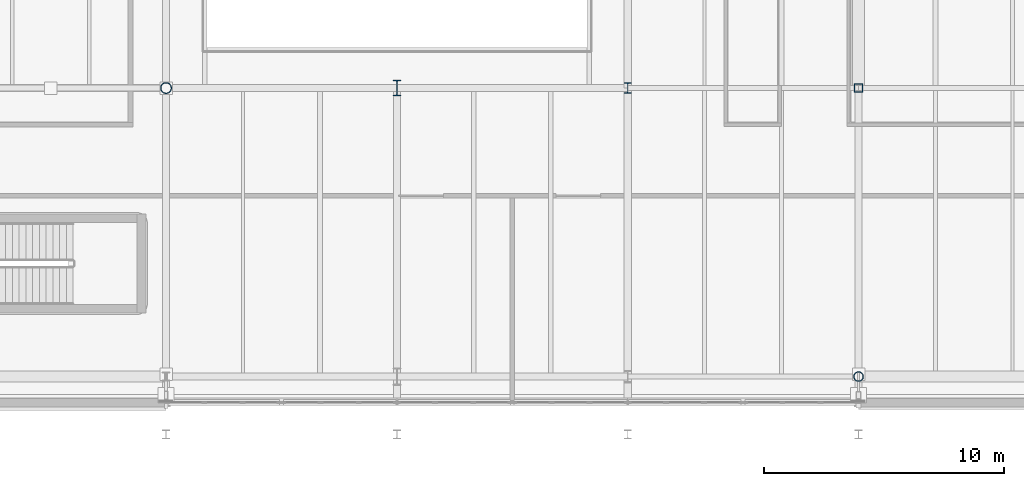
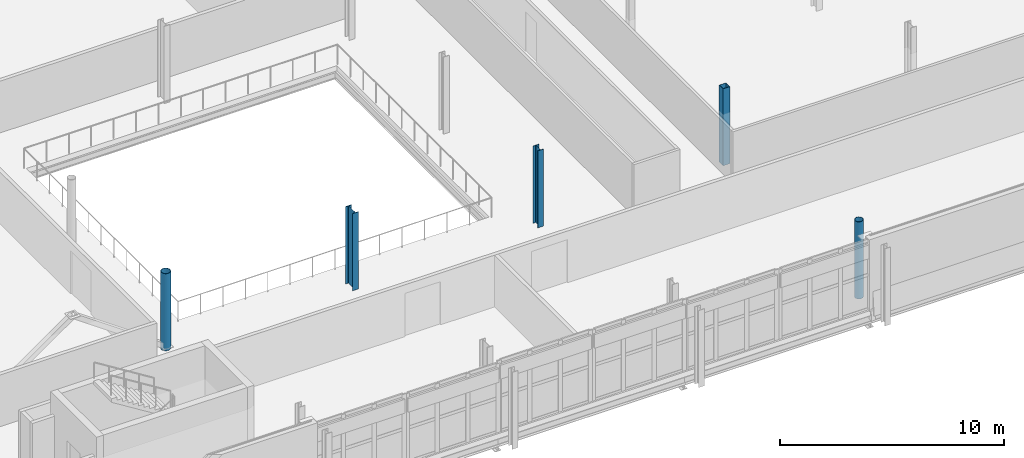
# One storey, part 4 of 57: 5 columns.
"""IFC4 building model written with IfcOpenShell, lengths in metres."""

import ifcopenshell
import ifcopenshell.guid

model = None  # the IFC model being written
_history = None  # IfcOwnerHistory: only IFC2X3 demands one
_inside = {}  # id of a spatial element -> (the spatial element, [elements in it])
_under = {}  # id of a project, library or spatial element -> (it, [spatial elements below it])
_declared = {}  # id of a project -> (the project, [libraries it declares])
_typed = {}  # id of a type object -> (the type object, [elements of that type])
_made_of = {}  # id of a material, layer set ... -> (it, [elements and type objects made of it])


def new_model(schema):
    """Start an empty IFC model of exactly this schema.

    Asked for "IFC4X3", IfcOpenShell would pick the latest addendum, in which some entities
    have other attributes; the version numbers below select the first issue.
    IFC2X3 requires an IfcOwnerHistory on every rooted entity: one is made here for all.
    """
    global model, _history
    if schema == "IFC4X3":
        model = ifcopenshell.file(schema_version=(4, 3, 0, 0))
    else:
        model = ifcopenshell.file(schema=schema)
    _inside.clear()
    _under.clear()
    _declared.clear()
    _typed.clear()
    _made_of.clear()
    _history = None
    if model.schema == "IFC2X3":
        org = make("IfcOrganization", Name="unknown")
        user = make(
            "IfcPersonAndOrganization",
            ThePerson=make("IfcPerson", FamilyName="unknown"),
            TheOrganization=org,
        )
        app = make(
            "IfcApplication",
            ApplicationDeveloper=org,
            Version="unknown",
            ApplicationFullName="unknown",
            ApplicationIdentifier="unknown",
        )
        _history = make(
            "IfcOwnerHistory",
            OwningUser=user,
            OwningApplication=app,
            ChangeAction="ADDED",
            CreationDate=0,
        )
    return model


def make(cls, **values):
    """One entity of the class cls with the attributes given. An attribute that is None is left unset."""
    return model.create_entity(
        cls, **{name: value for name, value in values.items() if value is not None}
    )


def rooted(cls, **values):
    """An entity with a GlobalId (a new one), such as an element, a storey or a relation."""
    return make(cls, GlobalId=ifcopenshell.guid.new(), OwnerHistory=_history, **values)


def si_unit(unit_type, name, prefix=None):
    """IfcSIUnit, for example si_unit("LENGTHUNIT", "METRE", prefix="MILLI")."""
    return make("IfcSIUnit", UnitType=unit_type, Prefix=prefix, Name=name)


def assignment(units):
    """IfcUnitAssignment: the units of a project."""
    return None if units is None else make("IfcUnitAssignment", Units=units)


def point(xyz):
    """IfcCartesianPoint."""
    return None if xyz is None else make("IfcCartesianPoint", Coordinates=xyz)


def direction(xyz):
    """IfcDirection."""
    return None if xyz is None else make("IfcDirection", DirectionRatios=xyz)


def frame(location, z_axis=None, x_axis=None):
    """IfcAxis2Placement3D, a coordinate frame: its origin and axes. An axis left out is left unset."""
    return make(
        "IfcAxis2Placement3D",
        Location=point(location),
        Axis=direction(z_axis),
        RefDirection=direction(x_axis),
    )


def frame_2d(location, x_axis=None):
    """IfcAxis2Placement2D, a coordinate frame in the plane: its origin and x axis."""
    return make(
        "IfcAxis2Placement2D", Location=point(location), RefDirection=direction(x_axis)
    )


def origin():
    """The frame at (0, 0, 0) with its axes left unset."""
    return frame((0.0, 0.0, 0.0))


def origin_2d():
    """The frame at (0, 0) in the plane with its x axis left unset."""
    return frame_2d((0.0, 0.0))


def place(relative_to, where):
    """IfcLocalPlacement: puts the frame where relative to a parent placement (None: the world)."""
    return make(
        "IfcLocalPlacement", PlacementRelTo=relative_to, RelativePlacement=where
    )


def context(
    kind, dimensions, precision=None, world=None, true_north=None, identifier=None
):
    """IfcGeometricRepresentationContext, for example the 3D "Model" context."""
    return make(
        "IfcGeometricRepresentationContext",
        ContextIdentifier=identifier,
        ContextType=kind,
        CoordinateSpaceDimension=dimensions,
        Precision=precision,
        WorldCoordinateSystem=world,
        TrueNorth=true_north,
    )


def subcontext(parent, identifier, kind, view, scale=None):
    """IfcGeometricRepresentationSubContext, for example "Body" below "Model"."""
    return make(
        "IfcGeometricRepresentationSubContext",
        ContextIdentifier=identifier,
        ContextType=kind,
        ParentContext=parent,
        TargetScale=scale,
        TargetView=view,
    )


def project(units=None, contexts=None):
    """IfcProject with its units and contexts."""
    return rooted(
        "IfcProject",
        Name="project",
        RepresentationContexts=contexts,
        UnitsInContext=assignment(units),
    )


def spatial(cls, under=None, at=None, **own):
    """A site, building, storey or space (cls), placed at a placement, below another one or the project."""
    s = rooted(cls, ObjectPlacement=at, **own)
    if under is not None:
        _under.setdefault(under.id(), (under, []))[1].append(s)
    return s


def profile(cls, at=None, kind="AREA", **sizes):
    """A parametric profile (cls). Its sizes go by their IFC names, for example OverallWidth=200.0."""
    return make(cls, ProfileType=kind, Position=at, **sizes)


def hollow_rectangle(**sizes):
    """IfcRectangleHollowProfileDef."""
    return profile("IfcRectangleHollowProfileDef", **sizes)


def hollow_circle(**sizes):
    """IfcCircleHollowProfileDef."""
    return profile("IfcCircleHollowProfileDef", **sizes)


def i_section(**sizes):
    """IfcIShapeProfileDef."""
    return profile("IfcIShapeProfileDef", **sizes)


def extrude(swept, where, along, depth):
    """IfcExtrudedAreaSolid: the profile swept, set in the frame where, extruded along a direction by depth."""
    return make(
        "IfcExtrudedAreaSolid",
        SweptArea=swept,
        Position=where,
        ExtrudedDirection=direction(along),
        Depth=depth,
    )


def shape(context_of_items, identifier, shape_type, items):
    """IfcShapeRepresentation: the items that make up one representation, for example the "Body"."""
    return make(
        "IfcShapeRepresentation",
        ContextOfItems=context_of_items,
        RepresentationIdentifier=identifier,
        RepresentationType=shape_type,
        Items=items,
    )


def material(Name=None, Category=None):
    """IfcMaterial."""
    return make("IfcMaterial", Name=Name, Category=Category)


def material_profile(
    of_material, cross_section, Name=None, Category=None, Priority=None
):
    """IfcMaterialProfile: a cross section and its material."""
    return make(
        "IfcMaterialProfile",
        Name=Name,
        Material=of_material,
        Profile=cross_section,
        Priority=Priority,
        Category=Category,
    )


def profile_set(profiles, Name=None, composite=None):
    """IfcMaterialProfileSet."""
    return make(
        "IfcMaterialProfileSet",
        Name=Name,
        MaterialProfiles=profiles,
        CompositeProfile=composite,
    )


def made_of(thing, what):
    """Note that an element or type object is made of a material, layer set ...; save() writes the relation."""
    if what is not None:
        _made_of.setdefault(what.id(), (what, []))[1].append(thing)
    return thing


def type_object(cls, material=None, **own):
    """A type object (cls), such as IfcWallType, which elements share."""
    return made_of(rooted(cls, **own), material)


def element(
    cls,
    number,
    at=None,
    inside=None,
    cuts=None,
    type_object=None,
    material=None,
    context=None,
    identifier="Body",
    shape_type=None,
    held_by="IfcProductDefinitionShape",
    body=None,
    shapes=None,
    **own,
):
    """One element of the class cls, such as IfcWall. Its Tag is "e" and its number.

    at: its placement. inside: the storey or other place that contains it. cuts: it is an
    opening in that element (IfcRelVoidsElement). A single representation is given by context,
    identifier, shape_type and body (its items); several are given by shapes. held_by: the class
    of the entity that holds the representations. save() writes the other relations.
    """
    e = rooted(cls, Tag="e%d" % number, ObjectPlacement=at, **own)
    if body is not None:
        shapes = [shape(context, identifier, shape_type, body)]
    if shapes is not None:
        e.Representation = make(held_by, Representations=shapes)
    if inside is not None:
        _inside.setdefault(inside.id(), (inside, []))[1].append(e)
    if cuts is not None:
        rooted(
            "IfcRelVoidsElement", RelatingBuildingElement=cuts, RelatedOpeningElement=e
        )
    if type_object is not None:
        _typed.setdefault(type_object.id(), (type_object, []))[1].append(e)
    return made_of(e, material)


def aggregate(whole, parts):
    """IfcRelAggregates: a whole, such as a stair, and the parts it consists of."""
    return rooted("IfcRelAggregates", RelatingObject=whole, RelatedObjects=parts)


def save(model, path):
    """Write the relations noted so far, then the file.

    IfcRelAggregates (storeys below a building ...), IfcRelContainedInSpatialStructure (elements
    in a storey), IfcRelDefinesByType, IfcRelAssociatesMaterial and IfcRelDeclares: one each for
    every whole, place, type object, material and project.
    """
    for whole, parts in _under.values():
        aggregate(whole, parts)
    for where, things in _inside.values():
        rooted(
            "IfcRelContainedInSpatialStructure",
            RelatedElements=things,
            RelatingStructure=where,
        )
    for kind, things in _typed.values():
        rooted("IfcRelDefinesByType", RelatedObjects=things, RelatingType=kind)
    for what, things in _made_of.values():
        rooted("IfcRelAssociatesMaterial", RelatedObjects=things, RelatingMaterial=what)
    for by, libraries in _declared.values():
        rooted("IfcRelDeclares", RelatingContext=by, RelatedDefinitions=libraries)
    model.write(path)


model = new_model("IFC4")

# Units and contexts
model_context = context("Model", 3, precision=1e-05, world=origin(), true_north=direction((0.0, 1.0)))
body_context = subcontext(model_context, "Body", "Model", "MODEL_VIEW")
ifc_project = project(units=[si_unit("LENGTHUNIT", "METRE"), si_unit("AREAUNIT", "SQUARE_METRE"), si_unit("VOLUMEUNIT", "CUBIC_METRE"), si_unit("PLANEANGLEUNIT", "RADIAN"), si_unit("MASSUNIT", "GRAM", prefix="KILO")], contexts=[model_context])

# Site, building, storey
site_placement = place(None, origin())
site = spatial("IfcSite", under=ifc_project, at=site_placement, CompositionType="ELEMENT")
building_placement = place(site_placement, origin())
building = spatial("IfcBuilding", under=site, at=building_placement, Name="Zereglee Splitstone Museum", CompositionType="ELEMENT")
storey_placement = place(building_placement, frame((0.0, 0.0, 17.10009765625)))
storey = spatial("IfcBuildingStorey", under=building, at=storey_placement, Name="L03", CompositionType="ELEMENT", Elevation=17.10009765625)

# Columns
ifc_material_1 = material(Name="Steel S355J2H", Category="steel")
ifc_material_profile_1 = material_profile(ifc_material_1, hollow_circle(Radius=0.203125, WallThickness=0.02001953125, at=origin_2d()), Name="CHS 406.4x20")
ifc_profile_set_1 = profile_set([ifc_material_profile_1], Name="Steel S355J2H")
column_type_1 = type_object("IfcColumnType", Name="C-18", PredefinedType="COLUMN", material=ifc_profile_set_1)
column_1_placement = place(storey_placement, frame((126.0, 9.60009765625, 0.0), z_axis=(0.0, 0.0, 1.0), x_axis=(1.0, 0.0, 0.0)))
element("IfcColumn", 1, at=column_1_placement, inside=storey, type_object=column_type_1, Name="Column 15/B L03", PredefinedType="COLUMN", context=body_context, shape_type="SweptSolid", body=[
    extrude(hollow_circle(Radius=0.203125, WallThickness=0.02001953125, at=origin_2d()), origin(), (0.0, 0.0, 1.0), 4.199951171875),
])
ifc_material_profile_2 = material_profile(ifc_material_1, hollow_circle(Radius=0.228515625, WallThickness=0.02001953125, at=origin_2d()), Name="CHS 457.0x20")
ifc_profile_set_2 = profile_set([ifc_material_profile_2], Name="Steel S355J2H")
column_type_2 = type_object("IfcColumnType", Name="C-17", PredefinedType="COLUMN", material=ifc_profile_set_2)
column_2_placement = place(storey_placement, frame((97.199951171875, 21.60009765625, 0.0), z_axis=(0.0, 0.0, 1.0), x_axis=(1.0, 0.0, 0.0)))
element("IfcColumn", 2, at=column_2_placement, inside=storey, type_object=column_type_2, Name="Column 12/C L03", PredefinedType="COLUMN", context=body_context, shape_type="SweptSolid", body=[
    extrude(hollow_circle(Radius=0.228515625, WallThickness=0.02001953125, at=origin_2d()), origin(), (0.0, 0.0, 1.0), 4.199951171875),
])
ifc_material_2 = material(Name="Steel S355J2", Category="steel")
ifc_material_profile_3 = material_profile(ifc_material_2, i_section(OverallWidth=0.300048828125, OverallDepth=0.449951171875, WebThickness=0.013916015625, FlangeThickness=0.02587890625, FilletRadius=0.027099609375, at=origin_2d()), Name="HE 450 B")
ifc_profile_set_3 = profile_set([ifc_material_profile_3], Name="Steel S355J2")
column_type_3 = type_object("IfcColumnType", Name="C-14", PredefinedType="COLUMN", material=ifc_profile_set_3)
column_3_placement = place(storey_placement, frame((116.39990234375, 21.60009765625, 0.0), z_axis=(0.0, 0.0, 1.0), x_axis=(1.0, 0.0, 0.0)))
element("IfcColumn", 3, at=column_3_placement, inside=storey, type_object=column_type_3, Name="Column 14/C L03", PredefinedType="COLUMN", context=body_context, shape_type="SweptSolid", body=[
    extrude(i_section(OverallWidth=0.300048828125, OverallDepth=0.449951171875, WebThickness=0.013916015625, FlangeThickness=0.02587890625, FilletRadius=0.027099609375, at=origin_2d()), origin(), (0.0, 0.0, 1.0), 4.199951171875),
])
ifc_material_profile_4 = material_profile(ifc_material_2, i_section(OverallWidth=0.300048828125, OverallDepth=0.64990234375, WebThickness=0.01611328125, FlangeThickness=0.031005859375, FilletRadius=0.027099609375, at=origin_2d()), Name="HE 650 B")
ifc_profile_set_4 = profile_set([ifc_material_profile_4], Name="Steel S355J2")
column_type_4 = type_object("IfcColumnType", Name="C-10", PredefinedType="COLUMN", material=ifc_profile_set_4)
column_4_placement = place(storey_placement, frame((106.800048828125, 21.60009765625, 0.0), z_axis=(0.0, 0.0, 1.0), x_axis=(1.0, 0.0, 0.0)))
element("IfcColumn", 4, at=column_4_placement, inside=storey, type_object=column_type_4, Name="Column 13/C L03", PredefinedType="COLUMN", context=body_context, shape_type="SweptSolid", body=[
    extrude(i_section(OverallWidth=0.300048828125, OverallDepth=0.64990234375, WebThickness=0.01611328125, FlangeThickness=0.031005859375, FilletRadius=0.027099609375, at=origin_2d()), origin(), (0.0, 0.0, 1.0), 4.199951171875),
])
ifc_material_profile_5 = material_profile(ifc_material_1, hollow_rectangle(XDim=0.35009765625, YDim=0.35009765625, WallThickness=0.01611328125, at=origin_2d()), Name="SHS 350x350x16")
ifc_profile_set_5 = profile_set([ifc_material_profile_5], Name="Steel S355J2H")
column_type_5 = type_object("IfcColumnType", Name="C-19", PredefinedType="COLUMN", material=ifc_profile_set_5)
column_5_placement = place(storey_placement, frame((126.0, 21.60009765625, 0.0), z_axis=(0.0, 0.0, 1.0), x_axis=(1.0, 0.0, 0.0)))
element("IfcColumn", 5, at=column_5_placement, inside=storey, type_object=column_type_5, Name="Column 15/C L03", PredefinedType="COLUMN", context=body_context, shape_type="SweptSolid", body=[
    extrude(hollow_rectangle(XDim=0.35009765625, YDim=0.35009765625, WallThickness=0.01611328125, at=origin_2d()), origin(), (0.0, 0.0, 1.0), 4.199951171875),
])

save(model, "model.ifc")
